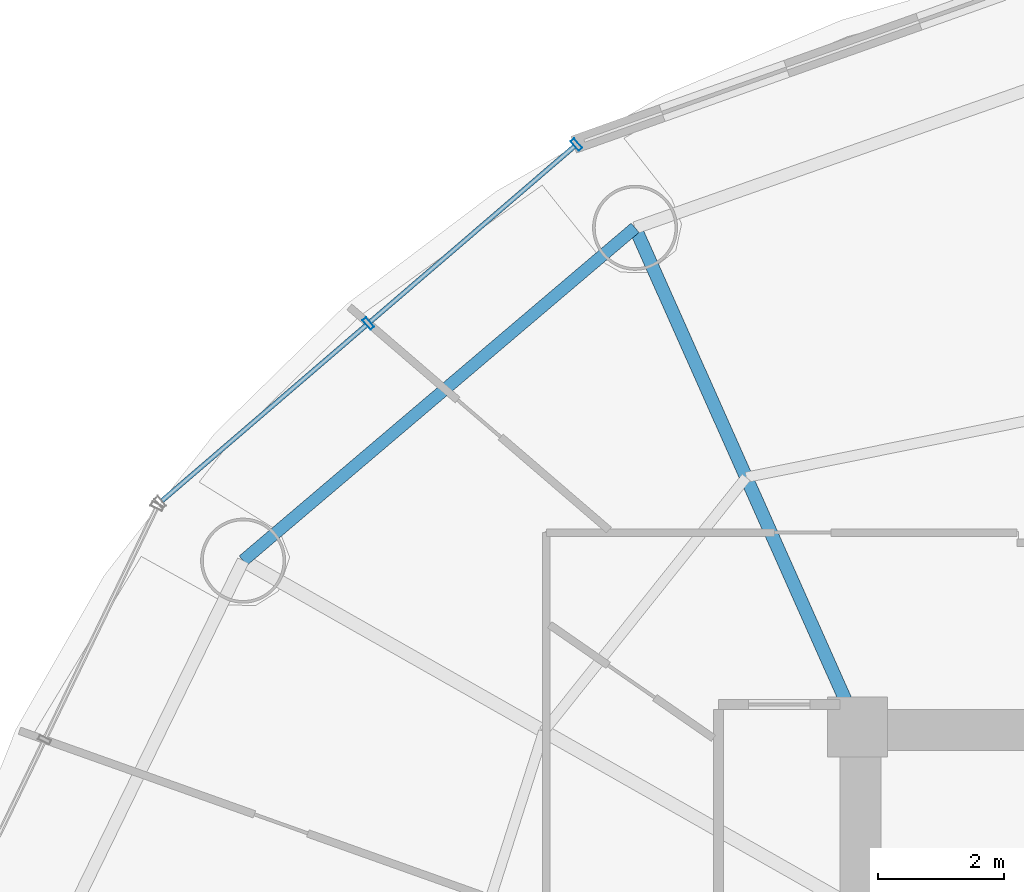
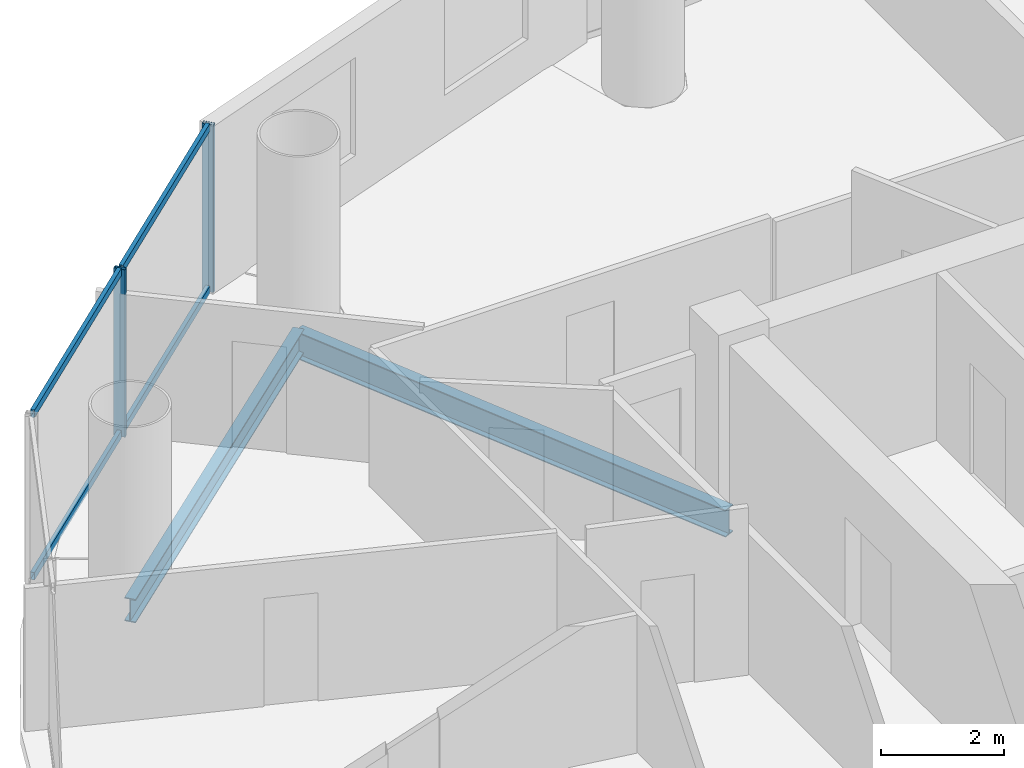
# One storey, part 14 of 26: 6 members, 2 beams, 1 element without a shape of its own.
"""IFC4 building model written with IfcOpenShell, lengths in metres."""

from ifc_helpers import new_model, si_unit, direction, frame, origin, origin_2d, place, context, subcontext, project, spatial, hollow_rectangle, i_section, extrude, source, transform, mapped, material, material_profile, profile_set, type_object, element, aggregate, save


model = new_model("IFC4")

# Units and contexts
model_context = context("Model", 3, precision=1e-05, world=origin(), true_north=direction((-0.2419218956, 0.970295726276)))
body_context = subcontext(model_context, "Body", "Model", "MODEL_VIEW")
ifc_project = project(units=[si_unit("LENGTHUNIT", "METRE"), si_unit("AREAUNIT", "SQUARE_METRE"), si_unit("VOLUMEUNIT", "CUBIC_METRE"), si_unit("PLANEANGLEUNIT", "RADIAN"), si_unit("MASSUNIT", "GRAM", prefix="KILO")], contexts=[model_context])

# Site, building, storey
site_placement = place(None, origin())
site = spatial("IfcSite", under=ifc_project, at=site_placement, CompositionType="ELEMENT")
building_placement = place(site_placement, origin())
building = spatial("IfcBuilding", under=site, at=building_placement, Name="Cobrevalo Terracotta Tower", CompositionType="ELEMENT")
storey_placement = place(building_placement, frame((0.0, 0.0, 139.0)))
storey = spatial("IfcBuildingStorey", under=building, at=storey_placement, Name="L36", CompositionType="ELEMENT", Elevation=139.0)

# Beams
ifc_material_1 = material(Name="Steel S355", Category="steel")
ifc_material_profile_1 = material_profile(ifc_material_1, i_section(OverallWidth=0.2109375, OverallDepth=0.5390625, WebThickness=0.01171875, FlangeThickness=0.018798828125, at=origin_2d()), Name="W 530x109")
ifc_profile_set_1 = profile_set([ifc_material_profile_1], Name="Steel S355")
beam_type_1 = type_object("IfcBeamType", Name="Structural Beam W 530x109 (Steel S355)", PredefinedType="BEAM", material=ifc_profile_set_1)
beam_1_placement = place(storey_placement, frame((25.471923828125, 42.72265625, -0.53955078125), z_axis=(0.406804395691, -0.913515289224, 0.0), x_axis=(0.913515289224, 0.406804395691, 0.0)))
element("IfcBeam", 1, at=beam_1_placement, inside=storey, type_object=beam_type_1, Name="L36 radial floor girder 06", PredefinedType="BEAM", context=body_context, shape_type="SweptSolid", body=[
    extrude(i_section(OverallWidth=0.2109375, OverallDepth=0.5390625, WebThickness=0.01171875, FlangeThickness=0.018798828125, at=origin_2d()), origin(), (0.0, 0.0, 1.0), 8.672607421875),
])
ifc_material_profile_2 = material_profile(ifc_material_1, i_section(OverallWidth=0.194091796875, OverallDepth=0.468994140625, WebThickness=0.011474609375, FlangeThickness=0.0205078125, at=origin_2d()), Name="W 460x106")
ifc_profile_set_2 = profile_set([ifc_material_profile_2], Name="Steel S355")
beam_type_2 = type_object("IfcBeamType", Name="Structural Spandrel W 460x106 (Steel S355)", PredefinedType="SPANDREL", material=ifc_profile_set_2)
beam_2_placement = place(storey_placement, frame((25.471923828125, 42.72265625, -0.50439453125), z_axis=(-0.762240337798, -0.647294112003, 0.0), x_axis=(0.647294112003, -0.762240337798, 0.0)))
element("IfcBeam", 2, at=beam_2_placement, inside=storey, type_object=beam_type_2, Name="L36 perimeter ring spandrel 06", PredefinedType="SPANDREL", context=body_context, shape_type="SweptSolid", body=[
    extrude(i_section(OverallWidth=0.194091796875, OverallDepth=0.468994140625, WebThickness=0.011474609375, FlangeThickness=0.0205078125, at=origin_2d()), origin(), (0.0, 0.0, 1.0), 8.162353515625),
])

# Curtain wall, members
ifc_material_2 = material(Name="Anodized aluminium", Category="aluminium")
curtain_wall_type = type_object("IfcCurtainWallType", Name="Mid-tower high-wind unitised curtain wall CW-U2", PredefinedType="NOTDEFINED", material=ifc_material_2)
curtain_wall_placement = place(storey_placement, origin())
curtain_wall = element("IfcCurtainWall", 3, at=curtain_wall_placement, inside=storey, type_object=curtain_wall_type, Name="L36 curtain wall CW-L36-S06", PredefinedType="NOTDEFINED")
ifc_material_profile_3 = material_profile(ifc_material_2, hollow_rectangle(XDim=0.074951171875, YDim=0.199951171875, WallThickness=0.0048828125, at=origin_2d()), Name="CWM 75x200")
ifc_profile_set_3 = profile_set([ifc_material_profile_3], Name="Anodized aluminium")
member_type_1 = type_object("IfcMemberType", Name="Lower/mid tower unitised mullion 75x200", PredefinedType="MULLION", material=ifc_profile_set_3)
shared_shape_1 = source(origin(), body_context, "Body", "SweptSolid", [
    extrude(hollow_rectangle(XDim=0.074951171875, YDim=0.199951171875, WallThickness=0.0048828125, at=origin_2d()), origin(), (0.0, 0.0, 1.0), 3.330078125),
])
member_1_placement = place(storey_placement, frame((24.54150390625, 44.04345703125, 0.0), z_axis=(0.0, 0.0, 1.0), x_axis=(-0.758441546142, -0.65174106905, 0.0)))
member_1 = element("IfcMember", 4, at=member_1_placement, type_object=member_type_1, Name="CW-L36-S06 vertical mullion 01", PredefinedType="MULLION", context=body_context, shape_type="MappedRepresentation", body=[
    mapped(shared_shape_1, transform((0.0, 0.0, 0.0), scale=1.0)),
])
member_2_placement = place(storey_placement, frame((21.237548828125, 41.204345703125, 0.0), z_axis=(0.0, 0.0, 1.0), x_axis=(-0.758441546142, -0.65174106905, 0.0)))
member_2 = element("IfcMember", 5, at=member_2_placement, type_object=member_type_1, Name="CW-L36-S06 vertical mullion 02", PredefinedType="MULLION", context=body_context, shape_type="MappedRepresentation", body=[
    mapped(shared_shape_1, transform((0.0, 0.0, 0.0), scale=1.0)),
])
ifc_material_profile_4 = material_profile(ifc_material_2, hollow_rectangle(XDim=0.074951171875, YDim=0.14990234375, WallThickness=0.00439453125, at=origin_2d()), Name="CWT 75x150")
ifc_profile_set_4 = profile_set([ifc_material_profile_4], Name="Anodized aluminium")
member_type_2 = type_object("IfcMemberType", Name="Tower unitised aluminium transom 75x150", PredefinedType="USERDEFINED", material=ifc_profile_set_4)
shared_shape_2 = source(origin(), body_context, "Body", "SweptSolid", [
    extrude(hollow_rectangle(XDim=0.074951171875, YDim=0.14990234375, WallThickness=0.00439453125, at=origin_2d()), origin(), (0.0, 0.0, 1.0), 4.276123046875),
])
member_3_placement = place(storey_placement, frame((24.51123046875, 44.017578125, 0.050048828125), z_axis=(-0.758417719247, -0.651768795764, 0.0), x_axis=(0.651768795764, -0.758417719247, 0.0)))
member_3 = element("IfcMember", 6, at=member_3_placement, type_object=member_type_2, Name="CW-L36-S06 transom B01-T1", ObjectType="TRANSOM", PredefinedType="USERDEFINED", context=body_context, shape_type="MappedRepresentation", body=[
    mapped(shared_shape_2, transform((0.0, 0.0, 0.0), scale=1.0)),
])
member_4_placement = place(storey_placement, frame((24.51123046875, 44.017578125, 3.280029296875), z_axis=(-0.758417719247, -0.651768795764, 0.0), x_axis=(0.651768795764, -0.758417719247, 0.0)))
member_4 = element("IfcMember", 7, at=member_4_placement, type_object=member_type_2, Name="CW-L36-S06 transom B01-T2", ObjectType="TRANSOM", PredefinedType="USERDEFINED", context=body_context, shape_type="MappedRepresentation", body=[
    mapped(shared_shape_2, transform((0.0, 0.0, 0.0), scale=1.0)),
])
member_5_placement = place(storey_placement, frame((21.207275390625, 41.17822265625, 0.050048828125), z_axis=(-0.758445941187, -0.65173595443, 0.0), x_axis=(0.65173595443, -0.758445941187, 0.0)))
member_5 = element("IfcMember", 8, at=member_5_placement, type_object=member_type_2, Name="CW-L36-S06 transom B02-T1", ObjectType="TRANSOM", PredefinedType="USERDEFINED", context=body_context, shape_type="MappedRepresentation", body=[
    mapped(shared_shape_2, transform((0.0, 0.0, 0.0), scale=1.0)),
])
member_6_placement = place(storey_placement, frame((21.207275390625, 41.17822265625, 3.280029296875), z_axis=(-0.758445941187, -0.65173595443, 0.0), x_axis=(0.65173595443, -0.758445941187, 0.0)))
member_6 = element("IfcMember", 9, at=member_6_placement, type_object=member_type_2, Name="CW-L36-S06 transom B02-T2", ObjectType="TRANSOM", PredefinedType="USERDEFINED", context=body_context, shape_type="MappedRepresentation", body=[
    mapped(shared_shape_2, transform((0.0, 0.0, 0.0), scale=1.0)),
])
aggregate(curtain_wall, [member_1, member_2, member_3, member_4, member_5, member_6])

save(model, "model.ifc")
